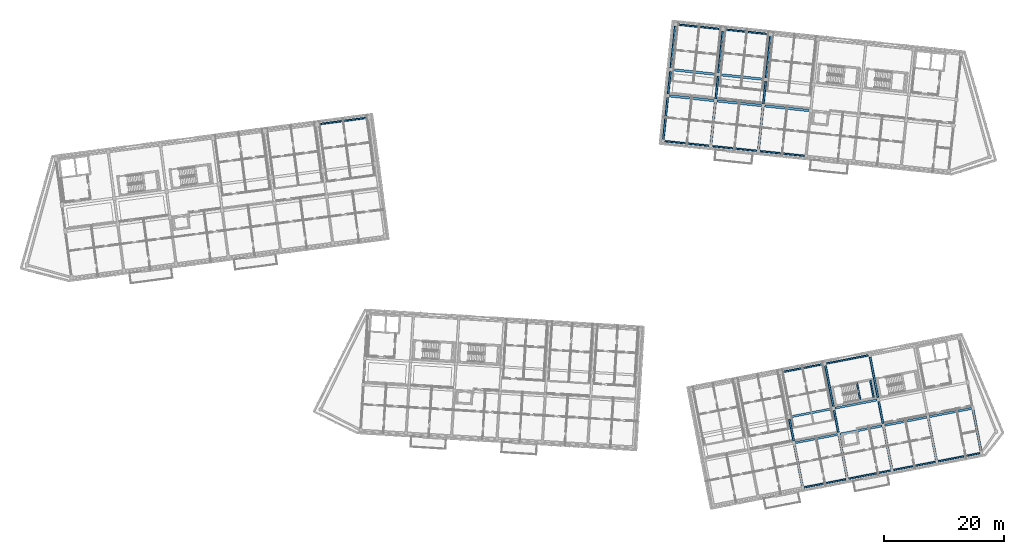
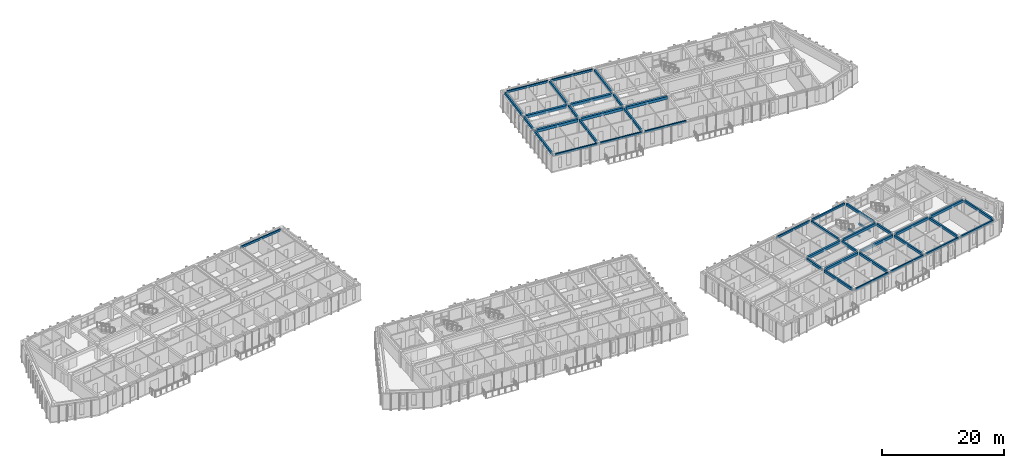
# One storey, part 9 of 68: 44 beams.
"""IFC4 building model written with IfcOpenShell, lengths in metres."""

import ifcopenshell
import ifcopenshell.guid

model = None  # the IFC model being written
_history = None  # IfcOwnerHistory: only IFC2X3 demands one
_inside = {}  # id of a spatial element -> (the spatial element, [elements in it])
_under = {}  # id of a project, library or spatial element -> (it, [spatial elements below it])
_declared = {}  # id of a project -> (the project, [libraries it declares])
_typed = {}  # id of a type object -> (the type object, [elements of that type])
_made_of = {}  # id of a material, layer set ... -> (it, [elements and type objects made of it])


def new_model(schema):
    """Start an empty IFC model of exactly this schema.

    Asked for "IFC4X3", IfcOpenShell would pick the latest addendum, in which some entities
    have other attributes; the version numbers below select the first issue.
    IFC2X3 requires an IfcOwnerHistory on every rooted entity: one is made here for all.
    """
    global model, _history
    if schema == "IFC4X3":
        model = ifcopenshell.file(schema_version=(4, 3, 0, 0))
    else:
        model = ifcopenshell.file(schema=schema)
    _inside.clear()
    _under.clear()
    _declared.clear()
    _typed.clear()
    _made_of.clear()
    _history = None
    if model.schema == "IFC2X3":
        org = make("IfcOrganization", Name="unknown")
        user = make(
            "IfcPersonAndOrganization",
            ThePerson=make("IfcPerson", FamilyName="unknown"),
            TheOrganization=org,
        )
        app = make(
            "IfcApplication",
            ApplicationDeveloper=org,
            Version="unknown",
            ApplicationFullName="unknown",
            ApplicationIdentifier="unknown",
        )
        _history = make(
            "IfcOwnerHistory",
            OwningUser=user,
            OwningApplication=app,
            ChangeAction="ADDED",
            CreationDate=0,
        )
    return model


def make(cls, **values):
    """One entity of the class cls with the attributes given. An attribute that is None is left unset."""
    return model.create_entity(
        cls, **{name: value for name, value in values.items() if value is not None}
    )


def rooted(cls, **values):
    """An entity with a GlobalId (a new one), such as an element, a storey or a relation."""
    return make(cls, GlobalId=ifcopenshell.guid.new(), OwnerHistory=_history, **values)


def si_unit(unit_type, name, prefix=None):
    """IfcSIUnit, for example si_unit("LENGTHUNIT", "METRE", prefix="MILLI")."""
    return make("IfcSIUnit", UnitType=unit_type, Prefix=prefix, Name=name)


def assignment(units):
    """IfcUnitAssignment: the units of a project."""
    return None if units is None else make("IfcUnitAssignment", Units=units)


def point(xyz):
    """IfcCartesianPoint."""
    return None if xyz is None else make("IfcCartesianPoint", Coordinates=xyz)


def direction(xyz):
    """IfcDirection."""
    return None if xyz is None else make("IfcDirection", DirectionRatios=xyz)


def frame(location, z_axis=None, x_axis=None):
    """IfcAxis2Placement3D, a coordinate frame: its origin and axes. An axis left out is left unset."""
    return make(
        "IfcAxis2Placement3D",
        Location=point(location),
        Axis=direction(z_axis),
        RefDirection=direction(x_axis),
    )


def frame_2d(location, x_axis=None):
    """IfcAxis2Placement2D, a coordinate frame in the plane: its origin and x axis."""
    return make(
        "IfcAxis2Placement2D", Location=point(location), RefDirection=direction(x_axis)
    )


def origin():
    """The frame at (0, 0, 0) with its axes left unset."""
    return frame((0.0, 0.0, 0.0))


def origin_2d():
    """The frame at (0, 0) in the plane with its x axis left unset."""
    return frame_2d((0.0, 0.0))


def place(relative_to, where):
    """IfcLocalPlacement: puts the frame where relative to a parent placement (None: the world)."""
    return make(
        "IfcLocalPlacement", PlacementRelTo=relative_to, RelativePlacement=where
    )


def context(
    kind, dimensions, precision=None, world=None, true_north=None, identifier=None
):
    """IfcGeometricRepresentationContext, for example the 3D "Model" context."""
    return make(
        "IfcGeometricRepresentationContext",
        ContextIdentifier=identifier,
        ContextType=kind,
        CoordinateSpaceDimension=dimensions,
        Precision=precision,
        WorldCoordinateSystem=world,
        TrueNorth=true_north,
    )


def subcontext(parent, identifier, kind, view, scale=None):
    """IfcGeometricRepresentationSubContext, for example "Body" below "Model"."""
    return make(
        "IfcGeometricRepresentationSubContext",
        ContextIdentifier=identifier,
        ContextType=kind,
        ParentContext=parent,
        TargetScale=scale,
        TargetView=view,
    )


def project(units=None, contexts=None):
    """IfcProject with its units and contexts."""
    return rooted(
        "IfcProject",
        Name="project",
        RepresentationContexts=contexts,
        UnitsInContext=assignment(units),
    )


def spatial(cls, under=None, at=None, **own):
    """A site, building, storey or space (cls), placed at a placement, below another one or the project."""
    s = rooted(cls, ObjectPlacement=at, **own)
    if under is not None:
        _under.setdefault(under.id(), (under, []))[1].append(s)
    return s


def profile(cls, at=None, kind="AREA", **sizes):
    """A parametric profile (cls). Its sizes go by their IFC names, for example OverallWidth=200.0."""
    return make(cls, ProfileType=kind, Position=at, **sizes)


def rectangle(**sizes):
    """IfcRectangleProfileDef."""
    return profile("IfcRectangleProfileDef", **sizes)


def extrude(swept, where, along, depth):
    """IfcExtrudedAreaSolid: the profile swept, set in the frame where, extruded along a direction by depth."""
    return make(
        "IfcExtrudedAreaSolid",
        SweptArea=swept,
        Position=where,
        ExtrudedDirection=direction(along),
        Depth=depth,
    )


def shape(context_of_items, identifier, shape_type, items):
    """IfcShapeRepresentation: the items that make up one representation, for example the "Body"."""
    return make(
        "IfcShapeRepresentation",
        ContextOfItems=context_of_items,
        RepresentationIdentifier=identifier,
        RepresentationType=shape_type,
        Items=items,
    )


def material(Name=None, Category=None):
    """IfcMaterial."""
    return make("IfcMaterial", Name=Name, Category=Category)


def material_profile(
    of_material, cross_section, Name=None, Category=None, Priority=None
):
    """IfcMaterialProfile: a cross section and its material."""
    return make(
        "IfcMaterialProfile",
        Name=Name,
        Material=of_material,
        Profile=cross_section,
        Priority=Priority,
        Category=Category,
    )


def profile_set(profiles, Name=None, composite=None):
    """IfcMaterialProfileSet."""
    return make(
        "IfcMaterialProfileSet",
        Name=Name,
        MaterialProfiles=profiles,
        CompositeProfile=composite,
    )


def made_of(thing, what):
    """Note that an element or type object is made of a material, layer set ...; save() writes the relation."""
    if what is not None:
        _made_of.setdefault(what.id(), (what, []))[1].append(thing)
    return thing


def type_object(cls, material=None, **own):
    """A type object (cls), such as IfcWallType, which elements share."""
    return made_of(rooted(cls, **own), material)


def element(
    cls,
    number,
    at=None,
    inside=None,
    cuts=None,
    type_object=None,
    material=None,
    context=None,
    identifier="Body",
    shape_type=None,
    held_by="IfcProductDefinitionShape",
    body=None,
    shapes=None,
    **own,
):
    """One element of the class cls, such as IfcWall. Its Tag is "e" and its number.

    at: its placement. inside: the storey or other place that contains it. cuts: it is an
    opening in that element (IfcRelVoidsElement). A single representation is given by context,
    identifier, shape_type and body (its items); several are given by shapes. held_by: the class
    of the entity that holds the representations. save() writes the other relations.
    """
    e = rooted(cls, Tag="e%d" % number, ObjectPlacement=at, **own)
    if body is not None:
        shapes = [shape(context, identifier, shape_type, body)]
    if shapes is not None:
        e.Representation = make(held_by, Representations=shapes)
    if inside is not None:
        _inside.setdefault(inside.id(), (inside, []))[1].append(e)
    if cuts is not None:
        rooted(
            "IfcRelVoidsElement", RelatingBuildingElement=cuts, RelatedOpeningElement=e
        )
    if type_object is not None:
        _typed.setdefault(type_object.id(), (type_object, []))[1].append(e)
    return made_of(e, material)


def aggregate(whole, parts):
    """IfcRelAggregates: a whole, such as a stair, and the parts it consists of."""
    return rooted("IfcRelAggregates", RelatingObject=whole, RelatedObjects=parts)


def save(model, path):
    """Write the relations noted so far, then the file.

    IfcRelAggregates (storeys below a building ...), IfcRelContainedInSpatialStructure (elements
    in a storey), IfcRelDefinesByType, IfcRelAssociatesMaterial and IfcRelDeclares: one each for
    every whole, place, type object, material and project.
    """
    for whole, parts in _under.values():
        aggregate(whole, parts)
    for where, things in _inside.values():
        rooted(
            "IfcRelContainedInSpatialStructure",
            RelatedElements=things,
            RelatingStructure=where,
        )
    for kind, things in _typed.values():
        rooted("IfcRelDefinesByType", RelatedObjects=things, RelatingType=kind)
    for what, things in _made_of.values():
        rooted("IfcRelAssociatesMaterial", RelatedObjects=things, RelatingMaterial=what)
    for by, libraries in _declared.values():
        rooted("IfcRelDeclares", RelatingContext=by, RelatedDefinitions=libraries)
    model.write(path)


model = new_model("IFC4")

# Units and contexts
model_context = context("Model", 3, precision=1e-05, world=origin(), true_north=direction((0.0, 1.0)))
body_context = subcontext(model_context, "Body", "Model", "MODEL_VIEW")
ifc_project = project(units=[si_unit("LENGTHUNIT", "METRE"), si_unit("AREAUNIT", "SQUARE_METRE"), si_unit("VOLUMEUNIT", "CUBIC_METRE"), si_unit("PLANEANGLEUNIT", "RADIAN"), si_unit("MASSUNIT", "GRAM", prefix="KILO")], contexts=[model_context])

# Site, building, storey
site_placement = place(None, origin())
site = spatial("IfcSite", under=ifc_project, at=site_placement, CompositionType="ELEMENT")
building_placement = place(site_placement, origin())
building = spatial("IfcBuilding", under=site, at=building_placement, Name="Kestramere Prow Commons", CompositionType="ELEMENT")
storey_placement = place(building_placement, frame((0.0, 0.0, 18.14990234375)))
storey = spatial("IfcBuildingStorey", under=building, at=storey_placement, Name="L05", CompositionType="ELEMENT", Elevation=18.14990234375)

# Beams
ifc_material_1 = material(Name="Precast concrete C40/50", Category="concrete")
ifc_material_profile_1 = material_profile(ifc_material_1, rectangle(XDim=0.39990234375, YDim=0.550048828125, at=origin_2d()), Name="PC-BM 400x550")
ifc_profile_set_1 = profile_set([ifc_material_profile_1], Name="Precast concrete C40/50")
beam_type_1 = type_object("IfcBeamType", Name="BM-B1 PC-BM 400x550", PredefinedType="BEAM", material=ifc_profile_set_1)
for number, where, z_axis, x_axis, name in (
    (1, (111.06787109375, 102.32958984375, 2.72509765625), (0.994520884665, -0.104538079019, 0.0), (0.104538079019, 0.994520884665, 0.0), "Block B L05 Longitudinal Beam 2-1"),
    (2, (119.024169921875, 101.493408203125, 2.72509765625), (0.994520884665, -0.104538079019, 0.0), (0.104538079019, 0.994520884665, 0.0), "Block B L05 Longitudinal Beam 2-2"),
    (3, (126.980224609375, 100.6572265625, 2.72509765625), (0.994520884665, -0.104538079019, 0.0), (0.104538079019, 0.994520884665, 0.0), "Block B L05 Longitudinal Beam 2-3"),
    (4, (111.52783203125, 106.70556640625, 2.72509765625), (0.994520884665, -0.104538079019, 0.0), (0.104538079019, 0.994520884665, 0.0), "Block B L05 Longitudinal Beam 3-1"),
    (5, (119.484130859375, 105.869384765625, 2.72509765625), (0.994520884665, -0.104538079019, 0.0), (0.104538079019, 0.994520884665, 0.0), "Block B L05 Longitudinal Beam 3-2"),
):
    element("IfcBeam", number, at=place(storey_placement, frame(where, z_axis=z_axis, x_axis=x_axis)), inside=storey, type_object=beam_type_1, Name=name, PredefinedType="BEAM", context=body_context, shape_type="SweptSolid", body=[
        extrude(rectangle(XDim=0.39990234375, YDim=0.550048828125, at=origin_2d()), origin(), (0.0, 0.0, 1.0), 7.449951171875),
    ])
ifc_material_profile_2 = material_profile(ifc_material_1, rectangle(XDim=0.35009765625, YDim=0.5, at=origin_2d()), Name="PC-BM 350x500")
ifc_profile_set_2 = profile_set([ifc_material_profile_2], Name="Precast concrete C40/50")
beam_type_2 = type_object("IfcBeamType", Name="BM-D1 PC-BM 350x500", PredefinedType="BEAM", material=ifc_profile_set_2)
beam_1_placement = place(storey_placement, frame((132.091552734375, 44.403564453125, 2.75), z_axis=(0.981627472063, 0.190807510571, 0.0), x_axis=(-0.190807510571, 0.981627472063, 0.0)))
element("IfcBeam", 6, at=beam_1_placement, inside=storey, type_object=beam_type_2, Name="Block D L05 Longitudinal Beam 2-3", PredefinedType="BEAM", context=body_context, shape_type="SweptSolid", body=[
    extrude(rectangle(XDim=0.35009765625, YDim=0.5, at=origin_2d()), origin(), (0.0, 0.0, 1.0), 7.14990234375),
])
beam_2_placement = place(storey_placement, frame((139.5517578125, 45.853759765625, 2.75), z_axis=(0.981628715169, 0.190801115182, 0.0), x_axis=(-0.190801115182, 0.981628715169, 0.0)))
element("IfcBeam", 7, at=beam_2_placement, inside=storey, type_object=beam_type_2, Name="Block D L05 Longitudinal Beam 2-4", PredefinedType="BEAM", context=body_context, shape_type="SweptSolid", body=[
    extrude(rectangle(XDim=0.35009765625, YDim=0.5, at=origin_2d()), origin(), (0.0, 0.0, 1.0), 7.150146484375),
])
for number, where, z_axis, x_axis, name in (
    (8, (147.01220703125, 47.303955078125, 2.75), (0.981627472063, 0.190807510571, 0.0), (-0.190807510571, 0.981627472063, 0.0), "Block D L05 Longitudinal Beam 2-5"),
    (9, (154.47265625, 48.754150390625, 2.75), (0.981627472063, 0.190807510571, 0.0), (-0.190807510571, 0.981627472063, 0.0), "Block D L05 Longitudinal Beam 2-6"),
    (10, (131.251953125, 48.72265625, 2.75), (0.981621075955, 0.19084041302, 0.0), (-0.19084041302, 0.981621075955, 0.0), "Block D L05 Longitudinal Beam 3-3"),
):
    element("IfcBeam", number, at=place(storey_placement, frame(where, z_axis=z_axis, x_axis=x_axis)), inside=storey, type_object=beam_type_2, Name=name, PredefinedType="BEAM", context=body_context, shape_type="SweptSolid", body=[
        extrude(rectangle(XDim=0.35009765625, YDim=0.5, at=origin_2d()), origin(), (0.0, 0.0, 1.0), 7.14990234375),
    ])
beam_3_placement = place(storey_placement, frame((138.712158203125, 50.1728515625, 2.75), z_axis=(0.981628715169, 0.190801115182, 0.0), x_axis=(-0.190801115182, 0.981628715169, 0.0)))
element("IfcBeam", 11, at=beam_3_placement, inside=storey, type_object=beam_type_2, Name="Block D L05 Longitudinal Beam 3-4", PredefinedType="BEAM", context=body_context, shape_type="SweptSolid", body=[
    extrude(rectangle(XDim=0.35009765625, YDim=0.5, at=origin_2d()), origin(), (0.0, 0.0, 1.0), 7.150146484375),
])
ifc_material_2 = material(Name="Concrete C40/50", Category="concrete")
ifc_material_profile_3 = material_profile(ifc_material_2, rectangle(XDim=0.25, YDim=0.35009765625, at=origin_2d()), Name="PC-BM 250x350")
ifc_profile_set_3 = profile_set([ifc_material_profile_3], Name="Concrete C40/50")
beam_type_3 = type_object("IfcBeamType", Name="BM-ST-TRIM", PredefinedType="BEAM", material=ifc_profile_set_3)
beam_4_placement = place(storey_placement, frame((142.92529296875, 51.53173828125, 1.25), z_axis=(-0.190752078966, 0.981638245165, 0.0), x_axis=(-0.981638245165, -0.190752078966, 0.0)))
element("IfcBeam", 12, at=beam_4_placement, inside=storey, type_object=beam_type_3, Name="ST-D1 L05 Landing Trimmer Beam 1A", PredefinedType="BEAM", context=body_context, shape_type="SweptSolid", body=[
    extrude(rectangle(XDim=0.25, YDim=0.35009765625, at=origin_2d()), origin(), (0.0, 0.0, 1.0), 2.889892578125),
])
beam_5_placement = place(storey_placement, frame((145.16357421875, 51.966796875, 1.25), z_axis=(-0.190833481473, 0.981622423516, 0.0), x_axis=(-0.981622423516, -0.190833481473, 0.0)))
element("IfcBeam", 13, at=beam_5_placement, inside=storey, type_object=beam_type_3, Name="ST-D1 L05 Landing Trimmer Beam 1B", PredefinedType="BEAM", context=body_context, shape_type="SweptSolid", body=[
    extrude(rectangle(XDim=0.25, YDim=0.35009765625, at=origin_2d()), origin(), (0.0, 0.0, 1.0), 2.89013671875),
])
ifc_material_profile_4 = material_profile(ifc_material_1, rectangle(XDim=0.300048828125, YDim=0.5, at=origin_2d()), Name="PC-BM 300x500")
ifc_profile_set_4 = profile_set([ifc_material_profile_4], Name="Precast concrete C40/50")
beam_type_4 = type_object("IfcBeamType", Name="BM-TIE-01 PC-BM 300x500", PredefinedType="BEAM", material=ifc_profile_set_4)
beam_6_placement = place(storey_placement, frame((110.02880859375, 95.073486328125, 2.75), z_axis=(0.104511730475, 0.994523653913, 0.0), x_axis=(-0.994523653913, 0.104511730475, 0.0)))
element("IfcBeam", 14, at=beam_6_placement, inside=storey, type_object=beam_type_4, Name="Block B L05 Transverse Beam 1-1", PredefinedType="BEAM", context=body_context, shape_type="SweptSolid", body=[
    extrude(rectangle(XDim=0.300048828125, YDim=0.5, at=origin_2d()), origin(), (0.0, 0.0, 1.0), 7.050048828125),
])
beam_7_placement = place(storey_placement, frame((110.8232421875, 102.6318359375, 2.75), z_axis=(0.104506528251, 0.994524200587, 0.0), x_axis=(-0.994524200587, 0.104506528251, 0.0)))
element("IfcBeam", 15, at=beam_7_placement, inside=storey, type_object=beam_type_4, Name="Block B L05 Transverse Beam 1-2", PredefinedType="BEAM", context=body_context, shape_type="SweptSolid", body=[
    extrude(rectangle(XDim=0.300048828125, YDim=0.5, at=origin_2d()), origin(), (0.0, 0.0, 1.0), 3.849853515625),
])
for number, where, z_axis, x_axis, name in (
    (16, (111.283203125, 107.0078125, 2.75), (0.104515329964, 0.994523275646, 0.0), (-0.994523275646, 0.104515329964, 0.0), "Block B L05 Transverse Beam 1-3"),
    (17, (117.98486328125, 94.2373046875, 2.75), (0.104549582151, 0.994519675458, 0.0), (-0.994519675458, 0.104549582151, 0.0), "Block B L05 Transverse Beam 2-1"),
):
    element("IfcBeam", number, at=place(storey_placement, frame(where, z_axis=z_axis, x_axis=x_axis)), inside=storey, type_object=beam_type_4, Name=name, PredefinedType="BEAM", context=body_context, shape_type="SweptSolid", body=[
        extrude(rectangle(XDim=0.300048828125, YDim=0.5, at=origin_2d()), origin(), (0.0, 0.0, 1.0), 7.0498046875),
    ])
beam_8_placement = place(storey_placement, frame((118.779296875, 101.795654296875, 2.75), z_axis=(0.104569249198, 0.994517607749, 0.0), x_axis=(-0.994517607749, 0.104569249198, 0.0)))
element("IfcBeam", 18, at=beam_8_placement, inside=storey, type_object=beam_type_4, Name="Block B L05 Transverse Beam 2-2", PredefinedType="BEAM", context=body_context, shape_type="SweptSolid", body=[
    extrude(rectangle(XDim=0.300048828125, YDim=0.5, at=origin_2d()), origin(), (0.0, 0.0, 1.0), 3.849853515625),
])
for number, where, z_axis, x_axis, name in (
    (19, (119.2392578125, 106.171630859375, 2.75), (0.104515329964, 0.994523275646, 0.0), (-0.994523275646, 0.104515329964, 0.0), "Block B L05 Transverse Beam 2-3"),
    (20, (125.941162109375, 93.401123046875, 2.75), (0.104515329964, 0.994523275646, 0.0), (-0.994523275646, 0.104515329964, 0.0), "Block B L05 Transverse Beam 3-1"),
):
    element("IfcBeam", number, at=place(storey_placement, frame(where, z_axis=z_axis, x_axis=x_axis)), inside=storey, type_object=beam_type_4, Name=name, PredefinedType="BEAM", context=body_context, shape_type="SweptSolid", body=[
        extrude(rectangle(XDim=0.300048828125, YDim=0.5, at=origin_2d()), origin(), (0.0, 0.0, 1.0), 7.0498046875),
    ])
beam_9_placement = place(storey_placement, frame((126.735595703125, 100.95947265625, 2.75), z_axis=(0.104506528251, 0.994524200587, 0.0), x_axis=(-0.994524200587, 0.104506528251, 0.0)))
element("IfcBeam", 21, at=beam_9_placement, inside=storey, type_object=beam_type_4, Name="Block B L05 Transverse Beam 3-2", PredefinedType="BEAM", context=body_context, shape_type="SweptSolid", body=[
    extrude(rectangle(XDim=0.300048828125, YDim=0.5, at=origin_2d()), origin(), (0.0, 0.0, 1.0), 3.849853515625),
])
beam_10_placement = place(storey_placement, frame((127.195556640625, 105.335205078125, 2.75), z_axis=(0.104511730475, 0.994523653913, 0.0), x_axis=(-0.994523653913, 0.104511730475, 0.0)))
element("IfcBeam", 22, at=beam_10_placement, inside=storey, type_object=beam_type_4, Name="Block B L05 Transverse Beam 3-3", PredefinedType="BEAM", context=body_context, shape_type="SweptSolid", body=[
    extrude(rectangle(XDim=0.300048828125, YDim=0.5, at=origin_2d()), origin(), (0.0, 0.0, 1.0), 7.050048828125),
])
beam_11_placement = place(storey_placement, frame((133.2587890625, 37.21923828125, 2.75), z_axis=(-0.19081042584, 0.981626905393, 0.0), x_axis=(-0.981626905393, -0.19081042584, 0.0)))
element("IfcBeam", 23, at=beam_11_placement, inside=storey, type_object=beam_type_4, Name="Block D L05 Transverse Beam 3-1", PredefinedType="BEAM", context=body_context, shape_type="SweptSolid", body=[
    extrude(rectangle(XDim=0.300048828125, YDim=0.5, at=origin_2d()), origin(), (0.0, 0.0, 1.0), 6.9501953125),
])
beam_12_placement = place(storey_placement, frame((131.80859375, 44.6796875, 2.75), z_axis=(-0.190817382683, 0.981625553083, 0.0), x_axis=(-0.981625553083, -0.190817382683, 0.0)))
element("IfcBeam", 24, at=beam_12_placement, inside=storey, type_object=beam_type_4, Name="Block D L05 Transverse Beam 3-2", PredefinedType="BEAM", context=body_context, shape_type="SweptSolid", body=[
    extrude(rectangle(XDim=0.300048828125, YDim=0.5, at=origin_2d()), origin(), (0.0, 0.0, 1.0), 3.75),
])
beam_13_placement = place(storey_placement, frame((140.718994140625, 38.66943359375, 2.75), z_axis=(-0.190783155939, 0.981632205773, 0.0), x_axis=(-0.981632205773, -0.190783155939, 0.0)))
element("IfcBeam", 25, at=beam_13_placement, inside=storey, type_object=beam_type_4, Name="Block D L05 Transverse Beam 4-1", PredefinedType="BEAM", context=body_context, shape_type="SweptSolid", body=[
    extrude(rectangle(XDim=0.300048828125, YDim=0.5, at=origin_2d()), origin(), (0.0, 0.0, 1.0), 6.949951171875),
])
beam_14_placement = place(storey_placement, frame((139.26904296875, 46.1298828125, 2.75), z_axis=(-0.190817382683, 0.981625553083, 0.0), x_axis=(-0.981625553083, -0.190817382683, 0.0)))
element("IfcBeam", 26, at=beam_14_placement, inside=storey, type_object=beam_type_4, Name="Block D L05 Transverse Beam 4-2", PredefinedType="BEAM", context=body_context, shape_type="SweptSolid", body=[
    extrude(rectangle(XDim=0.300048828125, YDim=0.5, at=origin_2d()), origin(), (0.0, 0.0, 1.0), 3.75),
])
for number, where, z_axis, x_axis, name in (
    (27, (138.429443359375, 50.448974609375, 2.75), (-0.190817005532, 0.981625626397, 0.0), (-0.981625626397, -0.190817005532, 0.0), "Block D L05 Transverse Beam 4-3"),
    (28, (148.179443359375, 40.11962890625, 2.75), (-0.190817005532, 0.981625626397, 0.0), (-0.981625626397, -0.190817005532, 0.0), "Block D L05 Transverse Beam 5-1"),
):
    element("IfcBeam", number, at=place(storey_placement, frame(where, z_axis=z_axis, x_axis=x_axis)), inside=storey, type_object=beam_type_4, Name=name, PredefinedType="BEAM", context=body_context, shape_type="SweptSolid", body=[
        extrude(rectangle(XDim=0.300048828125, YDim=0.5, at=origin_2d()), origin(), (0.0, 0.0, 1.0), 6.949951171875),
    ])
beam_15_placement = place(storey_placement, frame((146.729248046875, 47.580078125, 2.75), z_axis=(-0.190829578001, 0.981623182367, 0.0), x_axis=(-0.981623182367, -0.190829578001, 0.0)))
element("IfcBeam", 29, at=beam_15_placement, inside=storey, type_object=beam_type_4, Name="Block D L05 Transverse Beam 5-2", PredefinedType="BEAM", context=body_context, shape_type="SweptSolid", body=[
    extrude(rectangle(XDim=0.300048828125, YDim=0.5, at=origin_2d()), origin(), (0.0, 0.0, 1.0), 3.749755859375),
])
for number, where, z_axis, x_axis, name in (
    (30, (145.8896484375, 51.899169921875, 2.75), (-0.190783155939, 0.981632205773, 0.0), (-0.981632205773, -0.190783155939, 0.0), "Block D L05 Transverse Beam 5-3"),
    (31, (155.639892578125, 41.56982421875, 2.75), (-0.190817005532, 0.981625626397, 0.0), (-0.981625626397, -0.190817005532, 0.0), "Block D L05 Transverse Beam 6-1"),
    (32, (163.10009765625, 43.02001953125, 2.75), (-0.190783155939, 0.981632205773, 0.0), (-0.981632205773, -0.190783155939, 0.0), "Block D L05 Transverse Beam 7-1"),
):
    element("IfcBeam", number, at=place(storey_placement, frame(where, z_axis=z_axis, x_axis=x_axis)), inside=storey, type_object=beam_type_4, Name=name, PredefinedType="BEAM", context=body_context, shape_type="SweptSolid", body=[
        extrude(rectangle(XDim=0.300048828125, YDim=0.5, at=origin_2d()), origin(), (0.0, 0.0, 1.0), 6.949951171875),
    ])
ifc_material_profile_5 = material_profile(ifc_material_1, rectangle(XDim=0.25, YDim=0.39990234375, at=origin_2d()), Name="PC-SP 250x400")
ifc_profile_set_5 = profile_set([ifc_material_profile_5], Name="Precast concrete C40/50")
beam_type_5 = type_object("IfcBeamType", Name="SP-EXT-01 PC-SP 250x400", PredefinedType="SPANDREL", material=ifc_profile_set_5)
beam_16_placement = place(storey_placement, frame((52.485595703125, 97.60791015625, 2.800048828125), z_axis=(0.991443917843, 0.130533358852, 0.0), x_axis=(-0.130533358852, 0.991443917843, 0.0)))
element("IfcBeam", 33, at=beam_16_placement, inside=storey, type_object=beam_type_5, Name="Block A L05 Longitudinal Beam 4-6", PredefinedType="SPANDREL", context=body_context, shape_type="SweptSolid", body=[
    extrude(rectangle(XDim=0.25, YDim=0.39990234375, at=origin_2d()), origin(), (0.0, 0.0, 1.0), 8.25),
])
for number, where, z_axis, x_axis, name in (
    (34, (110.2734375, 94.771240234375, 2.800048828125), (0.994520884665, -0.104538079019, 0.0), (0.104538079019, 0.994520884665, 0.0), "Block B L05 Longitudinal Beam 1-1"),
    (35, (118.229736328125, 93.93505859375, 2.800048828125), (0.994520884665, -0.104538079019, 0.0), (0.104538079019, 0.994520884665, 0.0), "Block B L05 Longitudinal Beam 1-2"),
    (36, (126.185791015625, 93.098876953125, 2.800048828125), (0.994520884665, -0.104538079019, 0.0), (0.104538079019, 0.994520884665, 0.0), "Block B L05 Longitudinal Beam 1-3"),
    (37, (112.322265625, 114.263916015625, 2.800048828125), (0.994520884665, -0.104538079019, 0.0), (0.104538079019, 0.994520884665, 0.0), "Block B L05 Longitudinal Beam 4-1"),
    (38, (120.2783203125, 113.427734375, 2.800048828125), (0.994520884665, -0.104538079019, 0.0), (0.104538079019, 0.994520884665, 0.0), "Block B L05 Longitudinal Beam 4-2"),
):
    element("IfcBeam", number, at=place(storey_placement, frame(where, z_axis=z_axis, x_axis=x_axis)), inside=storey, type_object=beam_type_5, Name=name, PredefinedType="SPANDREL", context=body_context, shape_type="SweptSolid", body=[
        extrude(rectangle(XDim=0.25, YDim=0.39990234375, at=origin_2d()), origin(), (0.0, 0.0, 1.0), 7.449951171875),
    ])
beam_17_placement = place(storey_placement, frame((133.54150390625, 36.943115234375, 2.800048828125), z_axis=(0.981622319481, 0.190834016612, 0.0), x_axis=(-0.190834016612, 0.981622319481, 0.0)))
element("IfcBeam", 39, at=beam_17_placement, inside=storey, type_object=beam_type_5, Name="Block D L05 Longitudinal Beam 1-3", PredefinedType="SPANDREL", context=body_context, shape_type="SweptSolid", body=[
    extrude(rectangle(XDim=0.25, YDim=0.39990234375, at=origin_2d()), origin(), (0.0, 0.0, 1.0), 7.150146484375),
])
for number, where, z_axis, x_axis, name in (
    (40, (141.001953125, 38.393310546875, 2.800048828125), (0.981627472063, 0.190807510571, 0.0), (-0.190807510571, 0.981627472063, 0.0), "Block D L05 Longitudinal Beam 1-4"),
    (41, (148.46240234375, 39.843505859375, 2.800048828125), (0.981627472063, 0.190807510571, 0.0), (-0.190807510571, 0.981627472063, 0.0), "Block D L05 Longitudinal Beam 1-5"),
):
    element("IfcBeam", number, at=place(storey_placement, frame(where, z_axis=z_axis, x_axis=x_axis)), inside=storey, type_object=beam_type_5, Name=name, PredefinedType="SPANDREL", context=body_context, shape_type="SweptSolid", body=[
        extrude(rectangle(XDim=0.25, YDim=0.39990234375, at=origin_2d()), origin(), (0.0, 0.0, 1.0), 7.14990234375),
    ])
beam_18_placement = place(storey_placement, frame((155.922607421875, 41.293701171875, 2.800048828125), z_axis=(0.981628715169, 0.190801115182, 0.0), x_axis=(-0.190801115182, 0.981628715169, 0.0)))
element("IfcBeam", 42, at=beam_18_placement, inside=storey, type_object=beam_type_5, Name="Block D L05 Longitudinal Beam 1-6", PredefinedType="SPANDREL", context=body_context, shape_type="SweptSolid", body=[
    extrude(rectangle(XDim=0.25, YDim=0.39990234375, at=origin_2d()), origin(), (0.0, 0.0, 1.0), 7.150146484375),
])
for number, where, z_axis, x_axis, name in (
    (43, (129.8017578125, 56.18310546875, 2.800048828125), (0.981627472063, 0.190807510571, 0.0), (-0.190807510571, 0.981627472063, 0.0), "Block D L05 Longitudinal Beam 4-3"),
    (44, (137.26220703125, 57.63330078125, 2.800048828125), (0.981627472063, 0.190807510571, 0.0), (-0.190807510571, 0.981627472063, 0.0), "Block D L05 Longitudinal Beam 4-4"),
):
    element("IfcBeam", number, at=place(storey_placement, frame(where, z_axis=z_axis, x_axis=x_axis)), inside=storey, type_object=beam_type_5, Name=name, PredefinedType="SPANDREL", context=body_context, shape_type="SweptSolid", body=[
        extrude(rectangle(XDim=0.25, YDim=0.39990234375, at=origin_2d()), origin(), (0.0, 0.0, 1.0), 7.14990234375),
    ])

save(model, "model.ifc")
